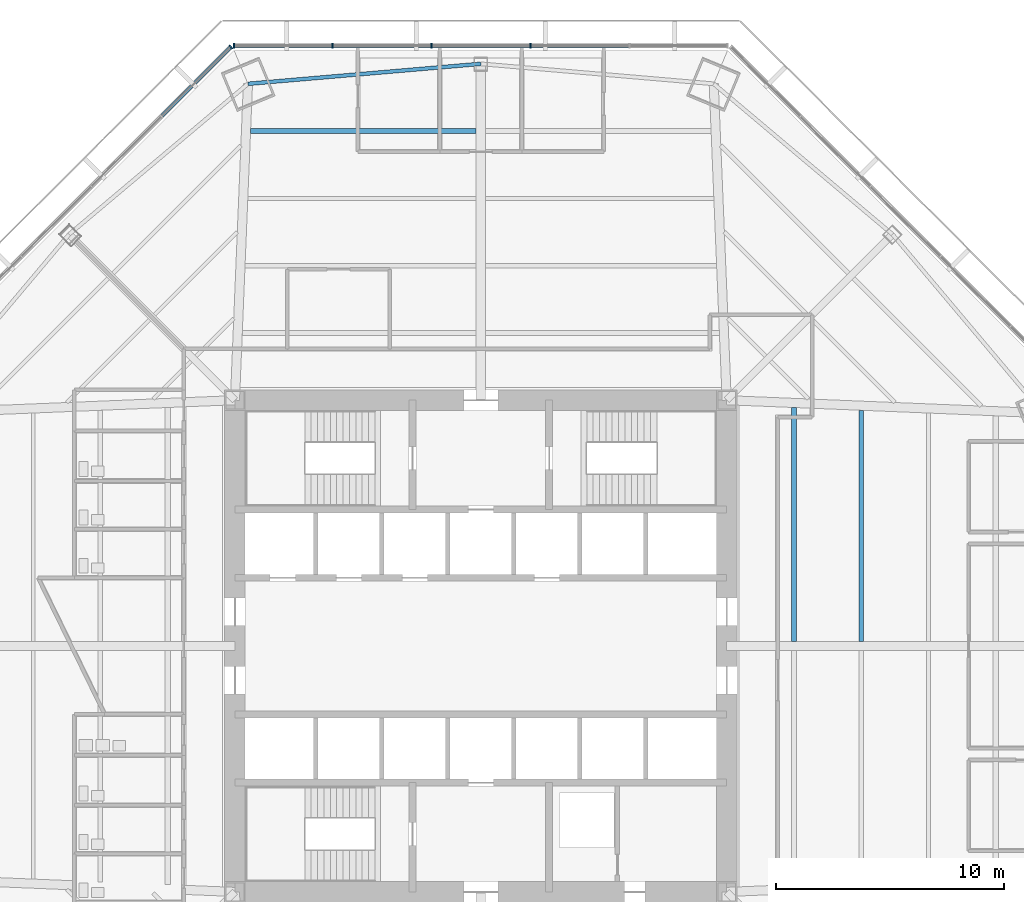
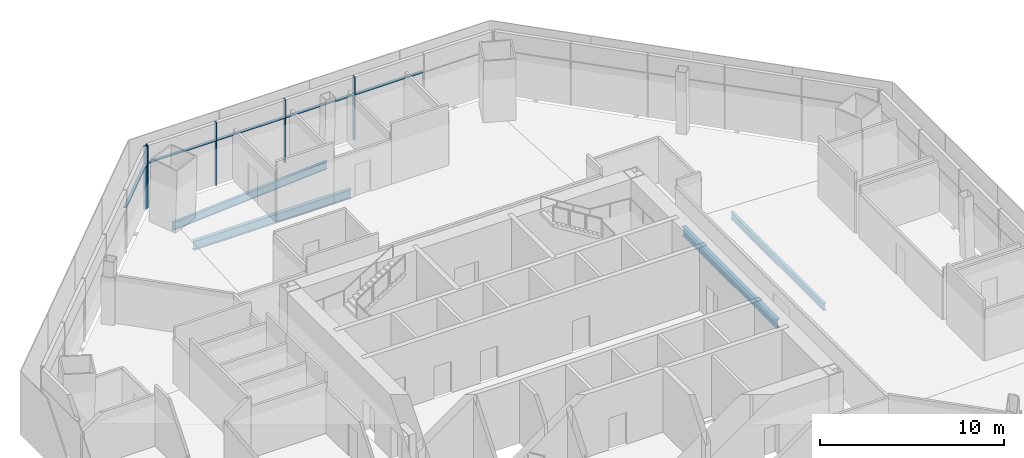
# One storey, part 6 of 15: 10 members, 4 beams, 2 elements without a shape of their own.
"""IFC4 building model written with IfcOpenShell, lengths in metres."""

from ifc_helpers import new_model, si_unit, direction, frame, origin, origin_2d, place, context, subcontext, project, spatial, rectangle, i_section, extrude, source, transform, mapped, material, material_profile, profile_set, type_object, type_shapes, element, aggregate, save


model = new_model("IFC4")

# Units and contexts
model_context = context("Model", 3, precision=1e-05, world=origin(), true_north=direction((0.0, 1.0)))
body_context = subcontext(model_context, "Body", "Model", "MODEL_VIEW")
ifc_project = project(units=[si_unit("LENGTHUNIT", "METRE"), si_unit("AREAUNIT", "SQUARE_METRE"), si_unit("VOLUMEUNIT", "CUBIC_METRE"), si_unit("PLANEANGLEUNIT", "RADIAN"), si_unit("MASSUNIT", "GRAM", prefix="KILO")], contexts=[model_context])

# Site, building, storey
site_placement = place(None, origin())
site = spatial("IfcSite", under=ifc_project, at=site_placement, CompositionType="ELEMENT")
building_placement = place(site_placement, origin())
building = spatial("IfcBuilding", under=site, at=building_placement, Name="Mashrafa Tower", CompositionType="ELEMENT")
storey_placement = place(building_placement, frame((0.0, 0.0, 58.199951171875)))
storey = spatial("IfcBuildingStorey", under=building, at=storey_placement, Name="L12", CompositionType="ELEMENT", Elevation=58.199951171875)

# Beams
ifc_material_1 = material(Name="Steel ASTM A992", Category="steel")
ifc_material_profile_1 = material_profile(ifc_material_1, i_section(OverallWidth=0.191162109375, OverallDepth=0.459716796875, WebThickness=0.010009765625, FlangeThickness=0.01611328125, FilletRadius=0.01025390625, at=origin_2d()), Name="W18X55")
ifc_profile_set_1 = profile_set([ifc_material_profile_1], Name="Steel ASTM A992")
beam_type_1 = type_object("IfcBeamType", Name="Beam W18X55", PredefinedType="BEAM", material=ifc_profile_set_1)
beam_1_placement = place(storey_placement, frame((16.709228515625, 10.356201171875, -0.394775390625), z_axis=(0.0, -1.0, 0.0), x_axis=(1.0, 0.0, 0.0)))
element("IfcBeam", 1, at=beam_1_placement, inside=storey, type_object=beam_type_1, Name="Floor beam L12 050", PredefinedType="BEAM", context=body_context, shape_type="SweptSolid", body=[
    extrude(i_section(OverallWidth=0.191162109375, OverallDepth=0.459716796875, WebThickness=0.010009765625, FlangeThickness=0.01611328125, FilletRadius=0.01025390625, at=origin_2d()), origin(), (0.0, 0.0, 1.0), 10.151611328125),
])
ifc_material_2 = material(Name="Steel ASTM A992", Category="steel")
ifc_material_profile_2 = material_profile(ifc_material_2, i_section(OverallWidth=0.165771484375, OverallDepth=0.5283203125, WebThickness=0.009765625, FlangeThickness=0.013671875, FilletRadius=0.012939453125, at=origin_2d()), Name="W21X50")
ifc_profile_set_2 = profile_set([ifc_material_profile_2], Name="Steel ASTM A992")
beam_type_2 = type_object("IfcBeamType", Name="Beam W21X50", PredefinedType="BEAM", material=ifc_profile_set_2)
beam_2_placement = place(storey_placement, frame((0.0, 25.572998046875, -0.42919921875), z_axis=(-0.996335019601, -0.08553670976, 0.0), x_axis=(0.08553670976, -0.996335019601, 0.0)))
element("IfcBeam", 2, at=beam_2_placement, inside=storey, type_object=beam_type_2, Name="Spandrel beam L12 081", PredefinedType="BEAM", context=body_context, shape_type="SweptSolid", body=[
    extrude(i_section(OverallWidth=0.165771484375, OverallDepth=0.5283203125, WebThickness=0.009765625, FlangeThickness=0.013671875, FilletRadius=0.012939453125, at=origin_2d()), origin(), (0.0, 0.0, 1.0), 10.2666015625),
])
ifc_material_3 = material(Name="Steel ASTM A992", Category="steel")
ifc_material_profile_3 = material_profile(ifc_material_3, i_section(OverallWidth=0.227783203125, OverallDepth=0.60205078125, WebThickness=0.010498046875, FlangeThickness=0.014892578125, FilletRadius=0.012939453125, at=origin_2d()), Name="W24X68")
ifc_profile_set_3 = profile_set([ifc_material_profile_3], Name="Steel ASTM A992")
beam_type_3 = type_object("IfcBeamType", Name="Beam W24X68", PredefinedType="BEAM", material=ifc_profile_set_3)
beam_3_placement = place(storey_placement, frame((13.754638671875, 10.477783203125, -0.4658203125), z_axis=(0.0, -1.0, 0.0), x_axis=(1.0, 0.0, 0.0)))
element("IfcBeam", 3, at=beam_3_placement, inside=storey, type_object=beam_type_3, Name="Floor beam L12 043", PredefinedType="BEAM", context=body_context, shape_type="SweptSolid", body=[
    extrude(i_section(OverallWidth=0.227783203125, OverallDepth=0.60205078125, WebThickness=0.010498046875, FlangeThickness=0.014892578125, FilletRadius=0.012939453125, at=origin_2d()), origin(), (0.0, 0.0, 1.0), 10.273193359375),
])
ifc_material_4 = material(Name="Steel ASTM A992", Category="steel")
ifc_material_profile_4 = material_profile(ifc_material_4, i_section(OverallWidth=0.228271484375, OverallDepth=0.607177734375, WebThickness=0.01123046875, FlangeThickness=0.017333984375, FilletRadius=0.0126953125, at=origin_2d()), Name="W24X76")
ifc_profile_set_4 = profile_set([ifc_material_profile_4], Name="Steel ASTM A992")
beam_type_4 = type_object("IfcBeamType", Name="Beam W24X76", PredefinedType="BEAM", material=ifc_profile_set_4)
beam_4_placement = place(storey_placement, frame((-10.11328125, 22.618408203125, -0.468505859375), z_axis=(1.0, 0.0, 0.0), x_axis=(0.0, 1.0, 0.0)))
element("IfcBeam", 4, at=beam_4_placement, inside=storey, type_object=beam_type_4, Name="Floor beam L12 024", PredefinedType="BEAM", context=body_context, shape_type="SweptSolid", body=[
    extrude(i_section(OverallWidth=0.228271484375, OverallDepth=0.607177734375, WebThickness=0.01123046875, FlangeThickness=0.017333984375, FilletRadius=0.0126953125, at=origin_2d()), origin(), (0.0, 0.0, 1.0), 9.90869140625),
])

# Curtain wall, members
ifc_material_5 = material(Name="Unitised aluminium curtain wall", Category="aluminium")
curtain_wall_type = type_object("IfcCurtainWallType", Name="Office curtain wall, zone 1 CW-A 200 deep", PredefinedType="NOTDEFINED", material=ifc_material_5)
curtain_wall_1_placement = place(storey_placement, origin())
curtain_wall_1 = element("IfcCurtainWall", 5, at=curtain_wall_1_placement, inside=storey, type_object=curtain_wall_type, Name="Office curtain wall, zone 1 L12 north", PredefinedType="NOTDEFINED")
ifc_material_6 = material(Name="Extruded aluminium mullion", Category="aluminium")
ifc_material_profile_5 = material_profile(ifc_material_6, rectangle(XDim=0.199951171875, YDim=0.06494140625, at=origin_2d()), Name="Mullion 65x200")
ifc_profile_set_5 = profile_set([ifc_material_profile_5], Name="Extruded aluminium mullion")
member_type_1 = type_object("IfcMemberType", Name="Mullion CW-A 65 x 200", PredefinedType="MULLION", material=ifc_profile_set_5)
shared_shape_1 = source(origin(), body_context, "Body", "SweptSolid", [
    extrude(rectangle(XDim=0.199951171875, YDim=0.06494140625, at=origin_2d()), origin(), (0.0, 0.0, 1.0), 4.199951171875),
])
type_shapes(member_type_1, [shared_shape_1])
member_1_placement = place(storey_placement, frame((2.174072265625, 26.368408203125, 0.0), z_axis=(0.0, 0.0, 1.0), x_axis=(0.0, -1.0, 0.0)))
member_1 = element("IfcMember", 6, at=member_1_placement, type_object=member_type_1, Name="CW-A mullion 3", PredefinedType="MULLION", context=body_context, shape_type="MappedRepresentation", body=[
    mapped(shared_shape_1, transform((0.0, 0.0, 0.0))),
])
member_2_placement = place(storey_placement, frame((-2.174072265625, 26.368408203125, 0.0), z_axis=(0.0, 0.0, 1.0), x_axis=(0.0, -1.0, 0.0)))
member_2 = element("IfcMember", 7, at=member_2_placement, type_object=member_type_1, Name="CW-A mullion 4", PredefinedType="MULLION", context=body_context, shape_type="MappedRepresentation", body=[
    mapped(shared_shape_1, transform((0.0, 0.0, 0.0))),
])
member_3_placement = place(storey_placement, frame((-6.5224609375, 26.368408203125, 0.0), z_axis=(0.0, 0.0, 1.0), x_axis=(0.0, -1.0, 0.0)))
member_3 = element("IfcMember", 8, at=member_3_placement, type_object=member_type_1, Name="CW-A mullion 5", PredefinedType="MULLION", context=body_context, shape_type="MappedRepresentation", body=[
    mapped(shared_shape_1, transform((0.0, 0.0, 0.0))),
])
member_4_placement = place(storey_placement, frame((-10.838134765625, 26.368408203125, 0.0), z_axis=(0.0, 0.0, 1.0), x_axis=(0.0, -1.0, 0.0)))
member_4 = element("IfcMember", 9, at=member_4_placement, type_object=member_type_1, Name="CW-A mullion 6", PredefinedType="MULLION", context=body_context, shape_type="MappedRepresentation", body=[
    mapped(shared_shape_1, transform((0.0, 0.0, 0.0))),
])

# Curtain wall, member
curtain_wall_2_placement = place(storey_placement, origin())
curtain_wall_2 = element("IfcCurtainWall", 10, at=curtain_wall_2_placement, inside=storey, type_object=curtain_wall_type, Name="Office curtain wall, zone 1 L12 north-west", PredefinedType="NOTDEFINED")
member_5_placement = place(storey_placement, frame((-10.9814453125, 26.30908203125, 0.0), z_axis=(0.0, 0.0, 1.0), x_axis=(0.707106781187, -0.707106781187, 0.0)))
member_5 = element("IfcMember", 11, at=member_5_placement, type_object=member_type_1, Name="CW-A mullion 1", PredefinedType="MULLION", context=body_context, shape_type="MappedRepresentation", body=[
    mapped(shared_shape_1, transform((0.0, 0.0, 0.0))),
])

# Member
ifc_material_7 = material(Name="Extruded aluminium transom", Category="aluminium")
ifc_material_profile_6 = material_profile(ifc_material_7, rectangle(XDim=0.159912109375, YDim=0.080078125, at=origin_2d()), Name="Transom 80x160")
ifc_profile_set_6 = profile_set([ifc_material_profile_6], Name="Extruded aluminium transom")
member_type_2 = type_object("IfcMemberType", Name="Transom CW-A 80 x 160", PredefinedType="MULLION", material=ifc_profile_set_6)
shared_shape_2 = source(origin(), body_context, "Body", "SweptSolid", [
    extrude(rectangle(XDim=0.159912109375, YDim=0.080078125, at=origin_2d()), origin(), (0.0, 0.0, 1.0), 4.250732421875),
])
member_6_placement = place(storey_placement, frame((-6.554931640625, 26.368408203125, 3.0), z_axis=(-1.0, 0.0, 0.0), x_axis=(0.0, -1.0, 0.0)))
member_6 = element("IfcMember", 12, at=member_6_placement, type_object=member_type_2, Name="CW-A transom 5", PredefinedType="MULLION", context=body_context, shape_type="MappedRepresentation", body=[
    mapped(shared_shape_2, transform((0.0, 0.0, 0.0))),
])

member_7_placement = place(storey_placement, frame((-11.00439453125, 26.285888671875, 3.0), z_axis=(-0.707135497932, -0.707078063275, 0.0), x_axis=(0.707078063275, -0.707135497932, 0.0)))
member_7 = element("IfcMember", 13, at=member_7_placement, type_object=member_type_2, Name="CW-A transom 1", PredefinedType="MULLION", context=body_context, shape_type="MappedRepresentation", body=[
    mapped(shared_shape_2, transform((0.0, 0.0, 0.0))),
])

aggregate(curtain_wall_2, [member_5, member_7])

shared_shape_3 = source(origin(), body_context, "Body", "SweptSolid", [
    extrude(rectangle(XDim=0.159912109375, YDim=0.080078125, at=origin_2d()), origin(), (0.0, 0.0, 1.0), 4.283447265625),
])
member_8_placement = place(storey_placement, frame((6.489990234375, 26.368408203125, 3.0), z_axis=(-1.0, 0.0, 0.0), x_axis=(0.0, -1.0, 0.0)))
member_8 = element("IfcMember", 14, at=member_8_placement, type_object=member_type_2, Name="CW-A transom 2", PredefinedType="MULLION", context=body_context, shape_type="MappedRepresentation", body=[
    mapped(shared_shape_3, transform((0.0, 0.0, 0.0))),
])

member_9_placement = place(storey_placement, frame((-2.20654296875, 26.368408203125, 3.0), z_axis=(-1.0, 0.0, 0.0), x_axis=(0.0, -1.0, 0.0)))
member_9 = element("IfcMember", 15, at=member_9_placement, type_object=member_type_2, Name="CW-A transom 4", PredefinedType="MULLION", context=body_context, shape_type="MappedRepresentation", body=[
    mapped(shared_shape_3, transform((0.0, 0.0, 0.0))),
])

shared_shape_4 = source(origin(), body_context, "Body", "SweptSolid", [
    extrude(rectangle(XDim=0.159912109375, YDim=0.080078125, at=origin_2d()), origin(), (0.0, 0.0, 1.0), 4.283203125),
])
type_shapes(member_type_2, [shared_shape_2, shared_shape_3, shared_shape_4])
member_10_placement = place(storey_placement, frame((2.1416015625, 26.368408203125, 3.0), z_axis=(-1.0, 0.0, 0.0), x_axis=(0.0, -1.0, 0.0)))
member_10 = element("IfcMember", 16, at=member_10_placement, type_object=member_type_2, Name="CW-A transom 3", PredefinedType="MULLION", context=body_context, shape_type="MappedRepresentation", body=[
    mapped(shared_shape_4, transform((0.0, 0.0, 0.0))),
])

aggregate(curtain_wall_1, [member_1, member_2, member_3, member_4, member_8, member_10, member_9, member_6])

save(model, "model.ifc")
